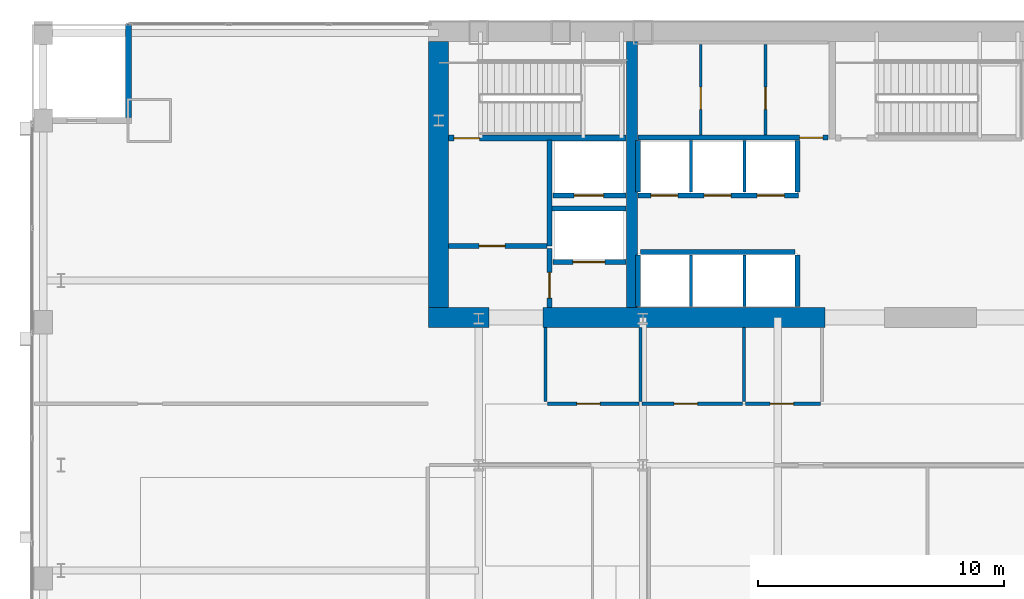
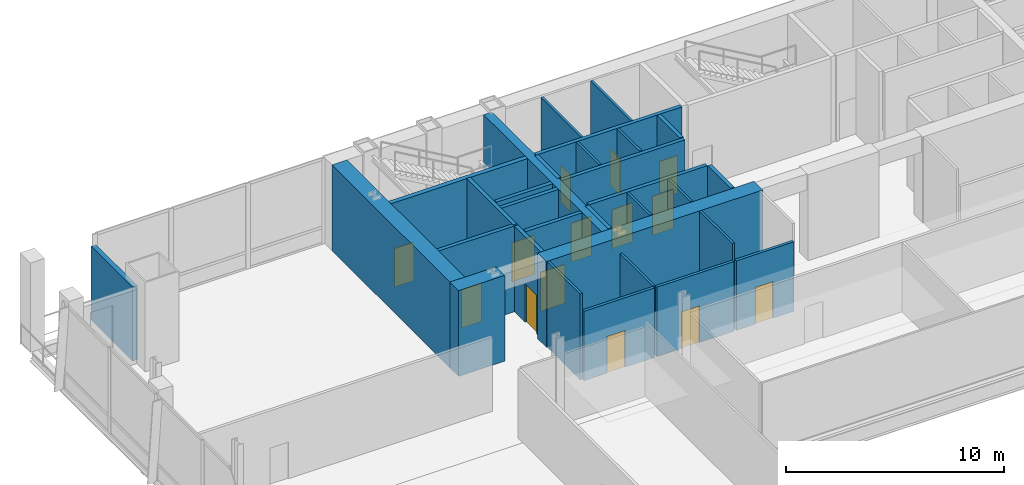
# One storey, part 20 of 25: 31 walls, 14 doors, 14 openings.
"""IFC4 building model written with IfcOpenShell, lengths in metres."""

from ifc_helpers import new_model, si_unit, direction, frame, frame_2d, origin, place, context, subcontext, project, spatial, rectangle, extrude, material, layer, layer_set, type_object, element, fill, save


model = new_model("IFC4")

# Units and contexts
model_context = context("Model", 3, precision=1e-05, world=origin(), true_north=direction((0.0, 1.0)))
body_context = subcontext(model_context, "Body", "Model", "MODEL_VIEW")
ifc_project = project(units=[si_unit("LENGTHUNIT", "METRE"), si_unit("AREAUNIT", "SQUARE_METRE"), si_unit("VOLUMEUNIT", "CUBIC_METRE"), si_unit("PLANEANGLEUNIT", "RADIAN"), si_unit("MASSUNIT", "GRAM", prefix="KILO")], contexts=[model_context])

# Site, building, storey
site_placement = place(None, origin())
site = spatial("IfcSite", under=ifc_project, at=site_placement, CompositionType="ELEMENT")
building_placement = place(site_placement, origin())
building = spatial("IfcBuilding", under=site, at=building_placement, Name="Khoronbel Lancet Exchange", CompositionType="ELEMENT")
storey_placement = place(building_placement, frame((0.0, 0.0, 10.39990234375)))
storey = spatial("IfcBuildingStorey", under=building, at=storey_placement, Name="L02", CompositionType="ELEMENT", Elevation=10.39990234375)

# Walls
ifc_material_1 = material(Name="Concrete C80/95", Category="concrete")
ifc_layer_1 = layer(ifc_material_1, 0.800048828125, Name="Concrete C80/95")
ifc_layer_set_1 = layer_set([ifc_layer_1], Name="Concrete C80/95")
wall_type_1 = type_object("IfcWallType", Name="WL-CW1", PredefinedType="SHEAR", material=ifc_layer_set_1)
wall_1_placement = place(storey_placement, frame((16.60009765625, 42.10009765625, 0.0), z_axis=(0.0, 0.0, 1.0), x_axis=(0.0, 1.0, 0.0)))
element("IfcWall", 1, at=wall_1_placement, inside=storey, type_object=wall_type_1, Name="Level L02 rear core west shear wall", PredefinedType="SHEAR", context=body_context, shape_type="SweptSolid", body=[
    extrude(rectangle(XDim=10.7998046875, YDim=0.800048828125, at=frame_2d((5.39990234375, 0.0))), origin(), (0.0, 0.0, 1.0), 4.800048828125),
])
wall_2_placement = place(storey_placement, frame((18.64990234375, 41.699951171875, 0.0), z_axis=(0.0, 0.0, 1.0), x_axis=(-1.0, 0.0, 0.0)))
element("IfcWall", 2, at=wall_2_placement, inside=storey, type_object=wall_type_1, Name="Level L02 rear core south shear wall pier P1", PredefinedType="SHEAR", context=body_context, shape_type="SweptSolid", body=[
    extrude(rectangle(XDim=2.449951171875, YDim=0.800048828125, at=frame_2d((1.22509765625, 0.0))), origin(), (0.0, 0.0, 1.0), 4.800048828125),
])
wall_3_placement = place(storey_placement, frame((32.300048828125, 41.699951171875, 0.0), z_axis=(0.0, 0.0, 1.0), x_axis=(-1.0, 0.0, 0.0)))
element("IfcWall", 3, at=wall_3_placement, inside=storey, type_object=wall_type_1, Name="Level L02 rear core south shear wall pier P2", PredefinedType="SHEAR", context=body_context, shape_type="SweptSolid", body=[
    extrude(rectangle(XDim=11.449951171875, YDim=0.800048828125, at=frame_2d((5.72509765625, 0.0))), origin(), (0.0, 0.0, 1.0), 4.800048828125),
])
ifc_material_2 = material(Name="Precast concrete C40/50", Category="concrete")
ifc_layer_2 = layer(ifc_material_2, 0.25, Name="Precast concrete C40/50")
ifc_layer_set_2 = layer_set([ifc_layer_2], Name="Precast concrete C40/50")
wall_type_2 = type_object("IfcWallType", Name="WL-EXT250", PredefinedType="SOLIDWALL", material=ifc_layer_set_2)
wall_4_placement = place(storey_placement, frame((4.0, 49.824951171875, 0.0), z_axis=(0.0, 0.0, 1.0), x_axis=(0.0, 1.0, 0.0)))
element("IfcWall", 4, at=wall_4_placement, inside=storey, type_object=wall_type_2, Name="Level L02 corner notch exterior wall NWV2", PredefinedType="SOLIDWALL", context=body_context, shape_type="SweptSolid", body=[
    extrude(rectangle(XDim=3.795166015625, YDim=0.25, at=frame_2d((1.8974609375, 0.0))), origin(), (0.0, 0.0, 1.0), 4.14013671875),
])
ifc_material_3 = material(Name="Acoustic Metal-Stud & Mineral-Wool Gypsum Partition 120 mm", Category="gypsum")
ifc_layer_3 = layer(ifc_material_3, 0.1201171875, Name="Acoustic Metal-Stud & Mineral-Wool Gypsum Partition 120 mm")
ifc_layer_set_3 = layer_set([ifc_layer_3], Name="Acoustic Metal-Stud & Mineral-Wool Gypsum Partition 120 mm")
wall_type_3 = type_object("IfcWallType", Name="WL-PRT120", PredefinedType="PARTITIONING", material=ifc_layer_set_3)
wall_5_placement = place(storey_placement, frame((20.949951171875, 38.280029296875, 0.0), z_axis=(0.0, 0.0, 1.0), x_axis=(0.0, 1.0, 0.0)))
element("IfcWall", 5, at=wall_5_placement, inside=storey, type_object=wall_type_3, Name="Level L02 interior partition PW-PD-WC0", PredefinedType="PARTITIONING", context=body_context, shape_type="SweptSolid", body=[
    extrude(rectangle(XDim=3.02001953125, YDim=0.1201171875, at=frame_2d((1.510009765625, 0.0))), origin(), (0.0, 0.0, 1.0), 4.800048828125),
])
wall_6_placement = place(storey_placement, frame((24.800048828125, 38.280029296875, 0.0), z_axis=(0.0, 0.0, 1.0), x_axis=(0.0, 1.0, 0.0)))
element("IfcWall", 6, at=wall_6_placement, inside=storey, type_object=wall_type_3, Name="Level L02 interior partition PW-PD-WC1", PredefinedType="PARTITIONING", context=body_context, shape_type="SweptSolid", body=[
    extrude(rectangle(XDim=3.02001953125, YDim=0.1201171875, at=frame_2d((1.510009765625, 0.0))), origin(), (0.0, 0.0, 1.0), 3.89013671875),
])
wall_7_placement = place(storey_placement, frame((29.0, 38.280029296875, 0.0), z_axis=(0.0, 0.0, 1.0), x_axis=(0.0, 1.0, 0.0)))
element("IfcWall", 7, at=wall_7_placement, inside=storey, type_object=wall_type_3, Name="Level L02 interior partition PW-PD-WC2", PredefinedType="PARTITIONING", context=body_context, shape_type="SweptSolid", body=[
    extrude(rectangle(XDim=3.02001953125, YDim=0.1201171875, at=frame_2d((1.510009765625, 0.0))), origin(), (0.0, 0.0, 1.0), 4.800048828125),
])
ifc_material_4 = material(Name="Fire-Rated Metal-Stud & Mineral-Wool Gypsum Partition 120 mm", Category="gypsum")
ifc_layer_4 = layer(ifc_material_4, 0.1201171875, Name="Fire-Rated Metal-Stud & Mineral-Wool Gypsum Partition 120 mm")
ifc_layer_set_4 = layer_set([ifc_layer_4], Name="Fire-Rated Metal-Stud & Mineral-Wool Gypsum Partition 120 mm")
wall_type_4 = type_object("IfcWallType", Name="WL-PRT120F", PredefinedType="PARTITIONING", material=ifc_layer_set_4)
for number, where, z_axis, x_axis, name in (
    (8, (26.860107421875, 46.800048828125, 0.0), (0.0, 0.0, 1.0), (0.0, 1.0, 0.0), "Level L02 interior partition CW-PL-D1"),
    (9, (29.02001953125, 46.800048828125, 0.0), (0.0, 0.0, 1.0), (0.0, 1.0, 0.0), "Level L02 interior partition CW-PL-D2"),
):
    element("IfcWall", number, at=place(storey_placement, frame(where, z_axis=z_axis, x_axis=x_axis)), inside=storey, type_object=wall_type_4, Name=name, PredefinedType="PARTITIONING", context=body_context, shape_type="SweptSolid", body=[
        extrude(rectangle(XDim=2.094970703125, YDim=0.1201171875, at=frame_2d((1.04736328125, 0.0))), origin(), (0.0, 0.0, 1.0), 4.800048828125),
    ])
for number, where, z_axis, x_axis, name in (
    (10, (26.860107421875, 42.14990234375, 0.0), (0.0, 0.0, 1.0), (0.0, 1.0, 0.0), "Level L02 interior partition CW-PM-D1"),
    (11, (29.02001953125, 42.14990234375, 0.0), (0.0, 0.0, 1.0), (0.0, 1.0, 0.0), "Level L02 interior partition CW-PM-D2"),
):
    element("IfcWall", number, at=place(storey_placement, frame(where, z_axis=z_axis, x_axis=x_axis)), inside=storey, type_object=wall_type_4, Name=name, PredefinedType="PARTITIONING", context=body_context, shape_type="SweptSolid", body=[
        extrude(rectangle(XDim=2.09521484375, YDim=0.1201171875, at=frame_2d((1.047607421875, 0.0))), origin(), (0.0, 0.0, 1.0), 4.800048828125),
    ])

# Wall, opening, door
wall_8_placement = place(storey_placement, frame((27.24755859375, 49.10498046875, 0.0), z_axis=(0.0, 0.0, 1.0), x_axis=(0.0, 1.0, 0.0)))
wall_8 = element("IfcWall", 12, at=wall_8_placement, inside=storey, type_object=wall_type_4, Name="Level L02 interior partition CW-SUP-NW-T1", PredefinedType="PARTITIONING", context=body_context, shape_type="SweptSolid", body=[
    extrude(rectangle(XDim=3.68994140625, YDim=0.1201171875, at=frame_2d((1.844970703125, 0.0))), origin(), (0.0, 0.0, 1.0), 4.800048828125),
])
opening_1_placement = place(wall_8_placement, frame((1.050048828125, 0.0, 0.0)))
opening_1 = element("IfcOpeningElement", 13, at=opening_1_placement, cuts=wall_8, Name="Opening FD4", PredefinedType="OPENING", context=body_context, shape_type="SweptSolid", body=[
    extrude(rectangle(XDim=0.89990234375, YDim=2.050048828125, at=frame_2d((0.449951171875, 1.02490234375))), frame((0.0, 0.070068359375, 0.0), z_axis=(0.0, -1.0, 0.0), x_axis=(1.0, 0.0, 0.0)), (0.0, 0.0, 1.0), 0.14013671875),
])
ifc_material_5 = material(Name="Fire-Rated Steel Core Support Door Assembly", Category="steel")
door_type_1 = type_object("IfcDoorType", Name="DR-FD4", OperationType="NOTDEFINED", PredefinedType="DOOR", material=ifc_material_5)
door_1_placement = place(opening_1_placement, origin())
door_1 = element("IfcDoor", 14, at=door_1_placement, inside=storey, type_object=door_type_1, Name="Core NW bay 1 door L02-1", OperationType="SINGLE_SWING_RIGHT", OverallHeight=2.050048828125, OverallWidth=0.89990234375, PredefinedType="DOOR", context=body_context, shape_type="SweptSolid", body=[
    extrude(rectangle(XDim=0.89990234375, YDim=2.050048828125, at=frame_2d((0.449951171875, 1.02490234375))), frame((0.0, 0.02490234375, 0.0), z_axis=(0.0, -1.0, 0.0), x_axis=(1.0, 0.0, 0.0)), (0.0, 0.0, 1.0), 0.050048828125),
])
fill(opening_1, door_1)

wall_9_placement = place(storey_placement, frame((29.872314453125, 49.10498046875, 0.0), z_axis=(0.0, 0.0, 1.0), x_axis=(0.0, 1.0, 0.0)))
wall_9 = element("IfcWall", 15, at=wall_9_placement, inside=storey, type_object=wall_type_4, Name="Level L02 interior partition CW-SUP-NW-T2", PredefinedType="PARTITIONING", context=body_context, shape_type="SweptSolid", body=[
    extrude(rectangle(XDim=3.68994140625, YDim=0.1201171875, at=frame_2d((1.844970703125, 0.0))), origin(), (0.0, 0.0, 1.0), 4.800048828125),
])
opening_2_placement = place(wall_9_placement, frame((1.050048828125, 0.0, 0.0)))
opening_2 = element("IfcOpeningElement", 16, at=opening_2_placement, cuts=wall_9, Name="Opening FD4", PredefinedType="OPENING", context=body_context, shape_type="SweptSolid", body=[
    extrude(rectangle(XDim=0.89990234375, YDim=2.050048828125, at=frame_2d((0.449951171875, 1.02490234375))), frame((0.0, 0.070068359375, 0.0), z_axis=(0.0, -1.0, 0.0), x_axis=(1.0, 0.0, 0.0)), (0.0, 0.0, 1.0), 0.14013671875),
])
door_2_placement = place(opening_2_placement, origin())
door_2 = element("IfcDoor", 17, at=door_2_placement, inside=storey, type_object=door_type_1, Name="Core NW bay 2 door L02-1", OperationType="SINGLE_SWING_LEFT", OverallHeight=2.050048828125, OverallWidth=0.89990234375, PredefinedType="DOOR", context=body_context, shape_type="SweptSolid", body=[
    extrude(rectangle(XDim=0.89990234375, YDim=2.050048828125, at=frame_2d((0.449951171875, 1.02490234375))), frame((0.0, 0.02490234375, 0.0), z_axis=(0.0, -1.0, 0.0), x_axis=(1.0, 0.0, 0.0)), (0.0, 0.0, 1.0), 0.050048828125),
])
fill(opening_2, door_2)

ifc_material_6 = material(Name="Fire-Rated Twin-Stud Acoustic Gypsum Partition 150 mm", Category="gypsum")
ifc_layer_5 = layer(ifc_material_6, 0.14990234375, Name="Fire-Rated Twin-Stud Acoustic Gypsum Partition 150 mm")
ifc_layer_set_5 = layer_set([ifc_layer_5], Name="Fire-Rated Twin-Stud Acoustic Gypsum Partition 150 mm")
wall_type_5 = type_object("IfcWallType", Name="WL-PRT150C", PredefinedType="PARTITIONING", material=ifc_layer_set_5)
wall_10_placement = place(storey_placement, frame((21.014892578125, 38.199951171875, 0.0), z_axis=(0.0, 0.0, 1.0), x_axis=(1.0, 0.0, 0.0)))
wall_10 = element("IfcWall", 18, at=wall_10_placement, inside=storey, type_object=wall_type_5, Name="Level L02 interior partition PW-PD-WCS1", PredefinedType="PARTITIONING", context=body_context, shape_type="SweptSolid", body=[
    extrude(rectangle(XDim=3.72021484375, YDim=0.14990234375, at=frame_2d((1.860107421875, 0.0))), origin(), (0.0, 0.0, 1.0), 3.89013671875),
])
opening_3_placement = place(wall_10_placement, frame((1.199951171875, 0.0, 0.0)))
opening_3 = element("IfcOpeningElement", 19, at=opening_3_placement, cuts=wall_10, Name="Opening D4", PredefinedType="OPENING", context=body_context, shape_type="SweptSolid", body=[
    extrude(rectangle(XDim=0.949951171875, YDim=2.050048828125, at=frame_2d((0.47509765625, 1.02490234375))), frame((0.0, 0.0849609375, 0.0), z_axis=(0.0, -1.0, 0.0), x_axis=(1.0, 0.0, 0.0)), (0.0, 0.0, 1.0), 0.169921875),
])
ifc_material_7 = material(Name="Moisture-Resistant HPL Washroom Door", Category="wood")
door_type_2 = type_object("IfcDoorType", Name="DR-D4", OperationType="NOTDEFINED", PredefinedType="DOOR", material=ifc_material_7)
door_3_placement = place(opening_3_placement, origin())
door_3 = element("IfcDoor", 20, at=door_3_placement, inside=storey, type_object=door_type_2, Name="Podium male WC door L02-1", OperationType="SINGLE_SWING_RIGHT", OverallHeight=2.050048828125, OverallWidth=0.949951171875, PredefinedType="DOOR", context=body_context, shape_type="SweptSolid", body=[
    extrude(rectangle(XDim=0.949951171875, YDim=2.050048828125, at=frame_2d((0.47509765625, 1.02490234375))), frame((0.0, 0.02490234375, 0.0), z_axis=(0.0, -1.0, 0.0), x_axis=(1.0, 0.0, 0.0)), (0.0, 0.0, 1.0), 0.050048828125),
])
fill(opening_3, door_3)

wall_11_placement = place(storey_placement, frame((24.864990234375, 38.199951171875, 0.0), z_axis=(0.0, 0.0, 1.0), x_axis=(1.0, 0.0, 0.0)))
wall_11 = element("IfcWall", 21, at=wall_11_placement, inside=storey, type_object=wall_type_5, Name="Level L02 interior partition PW-PD-WCS2", PredefinedType="PARTITIONING", context=body_context, shape_type="SweptSolid", body=[
    extrude(rectangle(XDim=4.070068359375, YDim=0.14990234375, at=frame_2d((2.03515625, 0.0))), origin(), (0.0, 0.0, 1.0), 3.89013671875),
])
opening_4_placement = place(wall_11_placement, frame((1.300048828125, 0.0, 0.0)))
opening_4 = element("IfcOpeningElement", 22, at=opening_4_placement, cuts=wall_11, Name="Opening D4", PredefinedType="OPENING", context=body_context, shape_type="SweptSolid", body=[
    extrude(rectangle(XDim=0.949951171875, YDim=2.050048828125, at=frame_2d((0.47509765625, 1.02490234375))), frame((0.0, 0.0849609375, 0.0), z_axis=(0.0, -1.0, 0.0), x_axis=(1.0, 0.0, 0.0)), (0.0, 0.0, 1.0), 0.169921875),
])
door_4_placement = place(opening_4_placement, origin())
door_4 = element("IfcDoor", 23, at=door_4_placement, inside=storey, type_object=door_type_2, Name="Podium female WC door L02-1", OperationType="SINGLE_SWING_LEFT", OverallHeight=2.050048828125, OverallWidth=0.949951171875, PredefinedType="DOOR", context=body_context, shape_type="SweptSolid", body=[
    extrude(rectangle(XDim=0.949951171875, YDim=2.050048828125, at=frame_2d((0.47509765625, 1.02490234375))), frame((0.0, 0.02490234375, 0.0), z_axis=(0.0, -1.0, 0.0), x_axis=(1.0, 0.0, 0.0)), (0.0, 0.0, 1.0), 0.050048828125),
])
fill(opening_4, door_4)

wall_12_placement = place(storey_placement, frame((29.06494140625, 38.199951171875, 0.0), z_axis=(0.0, 0.0, 1.0), x_axis=(1.0, 0.0, 0.0)))
wall_12 = element("IfcWall", 24, at=wall_12_placement, inside=storey, type_object=wall_type_5, Name="Level L02 interior partition PW-PD-WCS3", PredefinedType="PARTITIONING", context=body_context, shape_type="SweptSolid", body=[
    extrude(rectangle(XDim=3.050048828125, YDim=0.14990234375, at=frame_2d((1.52490234375, 0.0))), origin(), (0.0, 0.0, 1.0), 3.89013671875),
])
opening_5_placement = place(wall_12_placement, frame((1.0, 0.0, 0.0)))
opening_5 = element("IfcOpeningElement", 25, at=opening_5_placement, cuts=wall_12, Name="Opening D4", PredefinedType="OPENING", context=body_context, shape_type="SweptSolid", body=[
    extrude(rectangle(XDim=0.949951171875, YDim=2.050048828125, at=frame_2d((0.47509765625, 1.02490234375))), frame((0.0, 0.0849609375, 0.0), z_axis=(0.0, -1.0, 0.0), x_axis=(1.0, 0.0, 0.0)), (0.0, 0.0, 1.0), 0.169921875),
])
door_5_placement = place(opening_5_placement, origin())
door_5 = element("IfcDoor", 26, at=door_5_placement, inside=storey, type_object=door_type_2, Name="Podium accessible WC door L02-1", OperationType="SINGLE_SWING_RIGHT", OverallHeight=2.050048828125, OverallWidth=0.949951171875, PredefinedType="DOOR", context=body_context, shape_type="SweptSolid", body=[
    extrude(rectangle(XDim=0.949951171875, YDim=2.050048828125, at=frame_2d((0.47509765625, 1.02490234375))), frame((0.0, 0.02490234375, 0.0), z_axis=(0.0, -1.0, 0.0), x_axis=(1.0, 0.0, 0.0)), (0.0, 0.0, 1.0), 0.050048828125),
])
fill(opening_5, door_5)

ifc_material_8 = material(Name="Autoclaved Aerated Concrete Blockwork 200 mm", Category="masonry")
ifc_layer_6 = layer(ifc_material_8, 0.199951171875, Name="Autoclaved Aerated Concrete Blockwork 200 mm")
ifc_layer_set_6 = layer_set([ifc_layer_6], Name="Autoclaved Aerated Concrete Blockwork 200 mm")
wall_type_6 = type_object("IfcWallType", Name="WL-PRT200", PredefinedType="PARTITIONING", material=ifc_layer_set_6)
wall_13_placement = place(storey_placement, frame((24.2099609375, 43.949951171875, 0.0), z_axis=(0.0, 0.0, 1.0), x_axis=(-1.0, 0.0, 0.0)))
wall_13 = element("IfcWall", 27, at=wall_13_placement, inside=storey, type_object=wall_type_6, Name="Level L02 elevator hoistway landing front wall SVLW", PredefinedType="PARTITIONING", context=body_context, shape_type="SweptSolid", body=[
    extrude(rectangle(XDim=2.969970703125, YDim=0.199951171875, at=frame_2d((1.48486328125, 0.0))), origin(), (0.0, 0.0, 1.0), 4.800048828125),
])
opening_6_placement = place(wall_13_placement, frame((0.860107421875, 0.0, 0.0)))
opening_6 = element("IfcOpeningElement", 28, at=opening_6_placement, cuts=wall_13, Name="Opening LD-SVL1", PredefinedType="OPENING", context=body_context, shape_type="SweptSolid", body=[
    extrude(rectangle(XDim=1.300048828125, YDim=2.179931640625, at=frame_2d((0.64990234375, 1.08984375))), frame((0.0, 0.10986328125, 0.0), z_axis=(0.0, -1.0, 0.0), x_axis=(1.0, 0.0, 0.0)), (0.0, 0.0, 1.0), 0.219970703125),
])
ifc_material_9 = material(Name="Heavy-Duty Bi-Parting Goods Lift Landing Door", Category="steel")
door_type_3 = type_object("IfcDoorType", Name="DR-LD-SVL", OperationType="NOTDEFINED", PredefinedType="DOOR", material=ifc_material_9)
door_6_placement = place(opening_6_placement, origin())
door_6 = element("IfcDoor", 29, at=door_6_placement, inside=storey, type_object=door_type_3, Name="Elevator landing sliding door LD-SVL1 L02", OperationType="SLIDING_TO_LEFT", OverallHeight=2.179931640625, OverallWidth=1.300048828125, PredefinedType="DOOR", context=body_context, shape_type="SweptSolid", body=[
    extrude(rectangle(XDim=1.300048828125, YDim=2.179931640625, at=frame_2d((0.64990234375, 1.08984375))), frame((0.0, 0.02490234375, 0.0), z_axis=(0.0, -1.0, 0.0), x_axis=(1.0, 0.0, 0.0)), (0.0, 0.0, 1.0), 0.050048828125),
])
fill(opening_6, door_6)

wall_14_placement = place(storey_placement, frame((24.2099609375, 46.64990234375, 0.0), z_axis=(0.0, 0.0, 1.0), x_axis=(-1.0, 0.0, 0.0)))
wall_14 = element("IfcWall", 30, at=wall_14_placement, inside=storey, type_object=wall_type_6, Name="Level L02 elevator hoistway landing front wall FFLW", PredefinedType="PARTITIONING", context=body_context, shape_type="SweptSolid", body=[
    extrude(rectangle(XDim=2.969970703125, YDim=0.199951171875, at=frame_2d((1.48486328125, 0.0))), origin(), (0.0, 0.0, 1.0), 4.800048828125),
])
opening_7_placement = place(wall_14_placement, frame((0.909912109375, 0.0, 0.0)))
opening_7 = element("IfcOpeningElement", 31, at=opening_7_placement, cuts=wall_14, Name="Opening LD-FFL1", PredefinedType="OPENING", context=body_context, shape_type="SweptSolid", body=[
    extrude(rectangle(XDim=1.199951171875, YDim=2.179931640625, at=frame_2d((0.60009765625, 1.08984375))), frame((0.0, 0.10986328125, 0.0), z_axis=(0.0, -1.0, 0.0), x_axis=(1.0, 0.0, 0.0)), (0.0, 0.0, 1.0), 0.219970703125),
])
ifc_material_10 = material(Name="Fire-Rated Stainless Bi-Parting Firefighting Lift Door", Category="steel")
door_type_4 = type_object("IfcDoorType", Name="DR-LD-FFL", OperationType="NOTDEFINED", PredefinedType="DOOR", material=ifc_material_10)
door_7_placement = place(opening_7_placement, origin())
door_7 = element("IfcDoor", 32, at=door_7_placement, inside=storey, type_object=door_type_4, Name="Elevator landing sliding door LD-FFL1 L02", OperationType="SLIDING_TO_LEFT", OverallHeight=2.179931640625, OverallWidth=1.199951171875, PredefinedType="DOOR", context=body_context, shape_type="SweptSolid", body=[
    extrude(rectangle(XDim=1.199951171875, YDim=2.179931640625, at=frame_2d((0.60009765625, 1.08984375))), frame((0.0, 0.02490234375, 0.0), z_axis=(0.0, -1.0, 0.0), x_axis=(1.0, 0.0, 0.0)), (0.0, 0.0, 1.0), 0.050048828125),
])
fill(opening_7, door_7)

# Wall, openings, doors
wall_15_placement = place(storey_placement, frame((31.219970703125, 46.64990234375, 0.0), z_axis=(0.0, 0.0, 1.0), x_axis=(-1.0, 0.0, 0.0)))
wall_15 = element("IfcWall", 33, at=wall_15_placement, inside=storey, type_object=wall_type_6, Name="Level L02 elevator hoistway landing front wall PLW", PredefinedType="PARTITIONING", context=body_context, shape_type="SweptSolid", body=[
    extrude(rectangle(XDim=6.530029296875, YDim=0.199951171875, at=frame_2d((3.26513671875, 0.0))), origin(), (0.0, 0.0, 1.0), 4.800048828125),
])
opening_8_placement = place(wall_15_placement, frame((4.89990234375, 0.0, 0.0)))
opening_8 = element("IfcOpeningElement", 34, at=opening_8_placement, cuts=wall_15, Name="Opening LD-PL1", PredefinedType="OPENING", context=body_context, shape_type="SweptSolid", body=[
    extrude(rectangle(XDim=1.10009765625, YDim=2.179931640625, at=frame_2d((0.550048828125, 1.08984375))), frame((0.0, 0.10986328125, 0.0), z_axis=(0.0, -1.0, 0.0), x_axis=(1.0, 0.0, 0.0)), (0.0, 0.0, 1.0), 0.219970703125),
])
opening_9_placement = place(wall_15_placement, frame((2.739990234375, 0.0, 0.0)))
opening_9 = element("IfcOpeningElement", 35, at=opening_9_placement, cuts=wall_15, Name="Opening LD-PL2", PredefinedType="OPENING", context=body_context, shape_type="SweptSolid", body=[
    extrude(rectangle(XDim=1.10009765625, YDim=2.179931640625, at=frame_2d((0.550048828125, 1.08984375))), frame((0.0, 0.10986328125, 0.0), z_axis=(0.0, -1.0, 0.0), x_axis=(1.0, 0.0, 0.0)), (0.0, 0.0, 1.0), 0.219970703125),
])
opening_10_placement = place(wall_15_placement, frame((0.580078125, 0.0, 0.0)))
opening_10 = element("IfcOpeningElement", 36, at=opening_10_placement, cuts=wall_15, Name="Opening LD-PL3", PredefinedType="OPENING", context=body_context, shape_type="SweptSolid", body=[
    extrude(rectangle(XDim=1.10009765625, YDim=2.179931640625, at=frame_2d((0.550048828125, 1.08984375))), frame((0.0, 0.10986328125, 0.0), z_axis=(0.0, -1.0, 0.0), x_axis=(1.0, 0.0, 0.0)), (0.0, 0.0, 1.0), 0.219970703125),
])
ifc_material_11 = material(Name="Brushed Bronze Bi-Parting Elevator Landing Door", Category="steel")
door_type_5 = type_object("IfcDoorType", Name="DR-LD-PAX", OperationType="NOTDEFINED", PredefinedType="DOOR", material=ifc_material_11)
door_8_placement = place(opening_8_placement, origin())
door_8 = element("IfcDoor", 37, at=door_8_placement, inside=storey, type_object=door_type_5, Name="Elevator landing sliding door LD-PL1 L02", OperationType="SLIDING_TO_LEFT", OverallHeight=2.179931640625, OverallWidth=1.10009765625, PredefinedType="DOOR", context=body_context, shape_type="SweptSolid", body=[
    extrude(rectangle(XDim=1.10009765625, YDim=2.179931640625, at=frame_2d((0.550048828125, 1.08984375))), frame((0.0, 0.02490234375, 0.0), z_axis=(0.0, -1.0, 0.0), x_axis=(1.0, 0.0, 0.0)), (0.0, 0.0, 1.0), 0.050048828125),
])
fill(opening_8, door_8)
door_9_placement = place(opening_9_placement, origin())
door_9 = element("IfcDoor", 38, at=door_9_placement, inside=storey, type_object=door_type_5, Name="Elevator landing sliding door LD-PL2 L02", OperationType="SLIDING_TO_LEFT", OverallHeight=2.179931640625, OverallWidth=1.10009765625, PredefinedType="DOOR", context=body_context, shape_type="SweptSolid", body=[
    extrude(rectangle(XDim=1.10009765625, YDim=2.179931640625, at=frame_2d((0.550048828125, 1.08984375))), frame((0.0, 0.02490234375, 0.0), z_axis=(0.0, -1.0, 0.0), x_axis=(1.0, 0.0, 0.0)), (0.0, 0.0, 1.0), 0.050048828125),
])
fill(opening_9, door_9)
door_10_placement = place(opening_10_placement, origin())
door_10 = element("IfcDoor", 39, at=door_10_placement, inside=storey, type_object=door_type_5, Name="Elevator landing sliding door LD-PL3 L02", OperationType="SLIDING_TO_LEFT", OverallHeight=2.179931640625, OverallWidth=1.10009765625, PredefinedType="DOOR", context=body_context, shape_type="SweptSolid", body=[
    extrude(rectangle(XDim=1.10009765625, YDim=2.179931640625, at=frame_2d((0.550048828125, 1.08984375))), frame((0.0, 0.02490234375, 0.0), z_axis=(0.0, -1.0, 0.0), x_axis=(1.0, 0.0, 0.0)), (0.0, 0.0, 1.0), 0.050048828125),
])
fill(opening_10, door_10)

# Wall
wall_16_placement = place(storey_placement, frame((21.10009765625, 44.60009765625, 0.0), z_axis=(0.0, 0.0, 1.0), x_axis=(0.0, 1.0, 0.0)))
element("IfcWall", 40, at=wall_16_placement, inside=storey, type_object=wall_type_6, Name="Level L02 interior partition CW-FFLW-E", PredefinedType="PARTITIONING", context=body_context, shape_type="SweptSolid", body=[
    extrude(rectangle(XDim=4.2998046875, YDim=0.199951171875, at=frame_2d((2.14990234375, 0.0))), origin(), (0.0, 0.0, 1.0), 4.800048828125),
])

# Wall, opening, door
wall_17_placement = place(storey_placement, frame((17.0, 44.60009765625, 0.0), z_axis=(0.0, 0.0, 1.0), x_axis=(1.0, 0.0, 0.0)))
wall_17 = element("IfcWall", 41, at=wall_17_placement, inside=storey, type_object=wall_type_6, Name="Level L02 interior partition CW-FFLW-S", PredefinedType="PARTITIONING", context=body_context, shape_type="SweptSolid", body=[
    extrude(rectangle(XDim=4.0, YDim=0.199951171875, at=frame_2d((2.0, 0.0))), origin(), (0.0, 0.0, 1.0), 4.800048828125),
])
opening_11_placement = place(wall_17_placement, frame((1.25, 0.0, 0.0)))
opening_11 = element("IfcOpeningElement", 42, at=opening_11_placement, cuts=wall_17, Name="Opening FD1", PredefinedType="OPENING", context=body_context, shape_type="SweptSolid", body=[
    extrude(rectangle(XDim=1.050048828125, YDim=2.14990234375, at=frame_2d((0.52490234375, 1.074951171875))), frame((0.0, 0.10986328125, 0.0), z_axis=(0.0, -1.0, 0.0), x_axis=(1.0, 0.0, 0.0)), (0.0, 0.0, 1.0), 0.219970703125),
])
ifc_material_12 = material(Name="Fire-Rated Painted Steel Door Assembly", Category="steel")
door_type_6 = type_object("IfcDoorType", Name="DR-FD1", OperationType="NOTDEFINED", PredefinedType="DOOR", material=ifc_material_12)
door_11_placement = place(opening_11_placement, origin())
door_11 = element("IfcDoor", 43, at=door_11_placement, inside=storey, type_object=door_type_6, Name="West firefighting lobby FD90S door L02-1", OperationType="SINGLE_SWING_LEFT", OverallHeight=2.14990234375, OverallWidth=1.050048828125, PredefinedType="DOOR", context=body_context, shape_type="SweptSolid", body=[
    extrude(rectangle(XDim=1.050048828125, YDim=2.14990234375, at=frame_2d((0.52490234375, 1.074951171875))), frame((0.0, 0.02490234375, 0.0), z_axis=(0.0, -1.0, 0.0), x_axis=(1.0, 0.0, 0.0)), (0.0, 0.0, 1.0), 0.050048828125),
])
fill(opening_11, door_11)

# Wall
wall_18_placement = place(storey_placement, frame((21.199951171875, 46.1201171875, 0.0), z_axis=(0.0, 0.0, 1.0), x_axis=(1.0, 0.0, 0.0)))
element("IfcWall", 44, at=wall_18_placement, inside=storey, type_object=wall_type_6, Name="Level L02 interior partition CW-FFL1-S", PredefinedType="PARTITIONING", context=body_context, shape_type="SweptSolid", body=[
    extrude(rectangle(XDim=3.02001953125, YDim=0.199951171875, at=frame_2d((1.510009765625, 0.0))), origin(), (0.0, 0.0, 1.0), 4.800048828125),
])

# Wall, opening, door
wall_19_placement = place(storey_placement, frame((21.10009765625, 42.10009765625, 0.0), z_axis=(0.0, 0.0, 1.0), x_axis=(0.0, 1.0, 0.0)))
wall_19 = element("IfcWall", 45, at=wall_19_placement, inside=storey, type_object=wall_type_6, Name="Level L02 interior partition CW-SVLW-W", PredefinedType="PARTITIONING", context=body_context, shape_type="SweptSolid", body=[
    extrude(rectangle(XDim=2.39501953125, YDim=0.199951171875, at=frame_2d((1.197509765625, 0.0))), origin(), (0.0, 0.0, 1.0), 4.800048828125),
])
opening_12_placement = place(wall_19_placement, frame((0.3798828125, 0.0, 0.0)))
opening_12 = element("IfcOpeningElement", 46, at=opening_12_placement, cuts=wall_19, Name="Opening FD1", PredefinedType="OPENING", context=body_context, shape_type="SweptSolid", body=[
    extrude(rectangle(XDim=1.050048828125, YDim=2.14990234375, at=frame_2d((0.52490234375, 1.074951171875))), frame((0.0, 0.10986328125, 0.0), z_axis=(0.0, -1.0, 0.0), x_axis=(1.0, 0.0, 0.0)), (0.0, 0.0, 1.0), 0.219970703125),
])
door_12_placement = place(opening_12_placement, origin())
door_12 = element("IfcDoor", 47, at=door_12_placement, inside=storey, type_object=door_type_6, Name="West service lift lobby door L02-1", OperationType="SINGLE_SWING_RIGHT", OverallHeight=2.14990234375, OverallWidth=1.050048828125, PredefinedType="DOOR", context=body_context, shape_type="SweptSolid", body=[
    extrude(rectangle(XDim=1.050048828125, YDim=2.14990234375, at=frame_2d((0.52490234375, 1.074951171875))), frame((0.0, 0.02490234375, 0.0), z_axis=(0.0, -1.0, 0.0), x_axis=(1.0, 0.0, 0.0)), (0.0, 0.0, 1.0), 0.050048828125),
])
fill(opening_12, door_12)

# Walls
for number, where, z_axis, x_axis, name in (
    (48, (24.699951171875, 46.800048828125, 0.0), (0.0, 0.0, 1.0), (0.0, 1.0, 0.0), "Level L02 interior partition CW-PL-W"),
    (49, (31.179931640625, 46.800048828125, 0.0), (0.0, 0.0, 1.0), (0.0, 1.0, 0.0), "Level L02 interior partition CW-PL-E"),
):
    element("IfcWall", number, at=place(storey_placement, frame(where, z_axis=z_axis, x_axis=x_axis)), inside=storey, type_object=wall_type_6, Name=name, PredefinedType="PARTITIONING", context=body_context, shape_type="SweptSolid", body=[
        extrude(rectangle(XDim=2.094970703125, YDim=0.199951171875, at=frame_2d((1.04736328125, 0.0))), origin(), (0.0, 0.0, 1.0), 4.800048828125),
    ])
wall_20_placement = place(storey_placement, frame((24.804931640625, 44.35009765625, 0.0), z_axis=(0.0, 0.0, 1.0), x_axis=(1.0, 0.0, 0.0)))
element("IfcWall", 50, at=wall_20_placement, inside=storey, type_object=wall_type_6, Name="Level L02 interior partition CW-PM-EXP", PredefinedType="PARTITIONING", context=body_context, shape_type="SweptSolid", body=[
    extrude(rectangle(XDim=6.27001953125, YDim=0.199951171875, at=frame_2d((3.135009765625, 0.0))), origin(), (0.0, 0.0, 1.0), 4.800048828125),
])
for number, where, z_axis, x_axis, name in (
    (51, (24.699951171875, 42.14990234375, 0.0), (0.0, 0.0, 1.0), (0.0, 1.0, 0.0), "Level L02 interior partition CW-PM-W"),
    (52, (31.179931640625, 42.14990234375, 0.0), (0.0, 0.0, 1.0), (0.0, 1.0, 0.0), "Level L02 interior partition CW-PM-E"),
):
    element("IfcWall", number, at=place(storey_placement, frame(where, z_axis=z_axis, x_axis=x_axis)), inside=storey, type_object=wall_type_6, Name=name, PredefinedType="PARTITIONING", context=body_context, shape_type="SweptSolid", body=[
        extrude(rectangle(XDim=2.09521484375, YDim=0.199951171875, at=frame_2d((1.047607421875, 0.0))), origin(), (0.0, 0.0, 1.0), 4.800048828125),
    ])

# Wall, opening, door
wall_21_placement = place(storey_placement, frame((24.699951171875, 49.0, 0.0), z_axis=(0.0, 0.0, 1.0), x_axis=(1.0, 0.0, 0.0)))
wall_21 = element("IfcWall", 53, at=wall_21_placement, inside=storey, type_object=wall_type_6, Name="Level L02 interior partition CW-SUP-NW-S", PredefinedType="PARTITIONING", context=body_context, shape_type="SweptSolid", body=[
    extrude(rectangle(XDim=7.719970703125, YDim=0.199951171875, at=frame_2d((3.85986328125, 0.0))), origin(), (0.0, 0.0, 1.0), 4.800048828125),
])
opening_13_placement = place(wall_21_placement, frame((6.56005859375, 0.0, 0.0)))
opening_13 = element("IfcOpeningElement", 54, at=opening_13_placement, cuts=wall_21, Name="Opening FD3", PredefinedType="OPENING", context=body_context, shape_type="SweptSolid", body=[
    extrude(rectangle(XDim=0.949951171875, YDim=2.10009765625, at=frame_2d((0.47509765625, 1.050048828125))), frame((0.0, 0.10986328125, 0.0), z_axis=(0.0, -1.0, 0.0), x_axis=(1.0, 0.0, 0.0)), (0.0, 0.0, 1.0), 0.219970703125),
])
ifc_material_13 = material(Name="Fire-Rated Steel Plant & Riser Door Assembly", Category="steel")
door_type_7 = type_object("IfcDoorType", Name="DR-FD3", OperationType="NOTDEFINED", PredefinedType="DOOR", material=ifc_material_13)
door_13_placement = place(opening_13_placement, origin())
door_13 = element("IfcDoor", 55, at=door_13_placement, inside=storey, type_object=door_type_7, Name="Core NW support room door L02-1", OperationType="SINGLE_SWING_LEFT", OverallHeight=2.10009765625, OverallWidth=0.949951171875, PredefinedType="DOOR", context=body_context, shape_type="SweptSolid", body=[
    extrude(rectangle(XDim=0.949951171875, YDim=2.10009765625, at=frame_2d((0.47509765625, 1.050048828125))), frame((0.0, 0.02490234375, 0.0), z_axis=(0.0, -1.0, 0.0), x_axis=(1.0, 0.0, 0.0)), (0.0, 0.0, 1.0), 0.050048828125),
])
fill(opening_13, door_13)

# Wall
ifc_layer_7 = layer(ifc_material_1, 0.449951171875, Name="Concrete C80/95")
ifc_layer_set_7 = layer_set([ifc_layer_7], Name="Concrete C80/95")
wall_type_7 = type_object("IfcWallType", Name="WL-SW1", PredefinedType="SHEAR", material=ifc_layer_set_7)
wall_22_placement = place(storey_placement, frame((24.449951171875, 42.10009765625, 0.0), z_axis=(0.0, 0.0, 1.0), x_axis=(0.0, 1.0, 0.0)))
element("IfcWall", 56, at=wall_22_placement, inside=storey, type_object=wall_type_7, Name="Level L02 rear core internal spine shear wall IW", PredefinedType="SHEAR", context=body_context, shape_type="SweptSolid", body=[
    extrude(rectangle(XDim=10.7998046875, YDim=0.449951171875, at=frame_2d((5.39990234375, 0.0))), origin(), (0.0, 0.0, 1.0), 4.800048828125),
])

# Wall, opening, door
ifc_material_14 = material(Name="Concrete C60/75", Category="concrete")
ifc_layer_8 = layer(ifc_material_14, 0.260009765625, Name="Concrete C60/75")
ifc_layer_set_8 = layer_set([ifc_layer_8], Name="Concrete C60/75")
wall_type_8 = type_object("IfcWallType", Name="WL-SW3", PredefinedType="SHEAR", material=ifc_layer_set_8)
wall_23_placement = place(storey_placement, frame((17.0, 48.97998046875, 0.0), z_axis=(0.0, 0.0, 1.0), x_axis=(1.0, 0.0, 0.0)))
wall_23 = element("IfcWall", 57, at=wall_23_placement, inside=storey, type_object=wall_type_8, Name="Level L02 west stairwell structural south wall", PredefinedType="SHEAR", context=body_context, shape_type="SweptSolid", body=[
    extrude(rectangle(XDim=7.219970703125, YDim=0.239990234375, at=frame_2d((3.60986328125, 0.0))), origin(), (0.0, 0.0, 1.0), 4.800048828125),
])
opening_14_placement = place(wall_23_placement, frame((0.219970703125, 0.0, 0.0)))
opening_14 = element("IfcOpeningElement", 58, at=opening_14_placement, cuts=wall_23, Name="Opening SD1", PredefinedType="OPENING", context=body_context, shape_type="SweptSolid", body=[
    extrude(rectangle(XDim=1.050048828125, YDim=2.14990234375, at=frame_2d((0.52490234375, 1.074951171875))), frame((0.0, 0.1298828125, 0.0), z_axis=(0.0, -1.0, 0.0), x_axis=(1.0, 0.0, 0.0)), (0.0, 0.0, 1.0), 0.260009765625),
])
ifc_material_15 = material(Name="Fire-Rated Steel Stairwell Door Assembly", Category="steel")
door_type_8 = type_object("IfcDoorType", Name="DR-SD1", OperationType="NOTDEFINED", PredefinedType="DOOR", material=ifc_material_15)
door_14_placement = place(opening_14_placement, origin())
door_14 = element("IfcDoor", 59, at=door_14_placement, inside=storey, type_object=door_type_8, Name="Protected exit stair ST1 door L02", OperationType="SINGLE_SWING_LEFT", OverallHeight=2.14990234375, OverallWidth=1.050048828125, PredefinedType="DOOR", context=body_context, shape_type="SweptSolid", body=[
    extrude(rectangle(XDim=1.050048828125, YDim=2.14990234375, at=frame_2d((0.52490234375, 1.074951171875))), frame((0.0, 0.02490234375, 0.0), z_axis=(0.0, -1.0, 0.0), x_axis=(1.0, 0.0, 0.0)), (0.0, 0.0, 1.0), 0.050048828125),
])
fill(opening_14, door_14)

save(model, "model.ifc")
